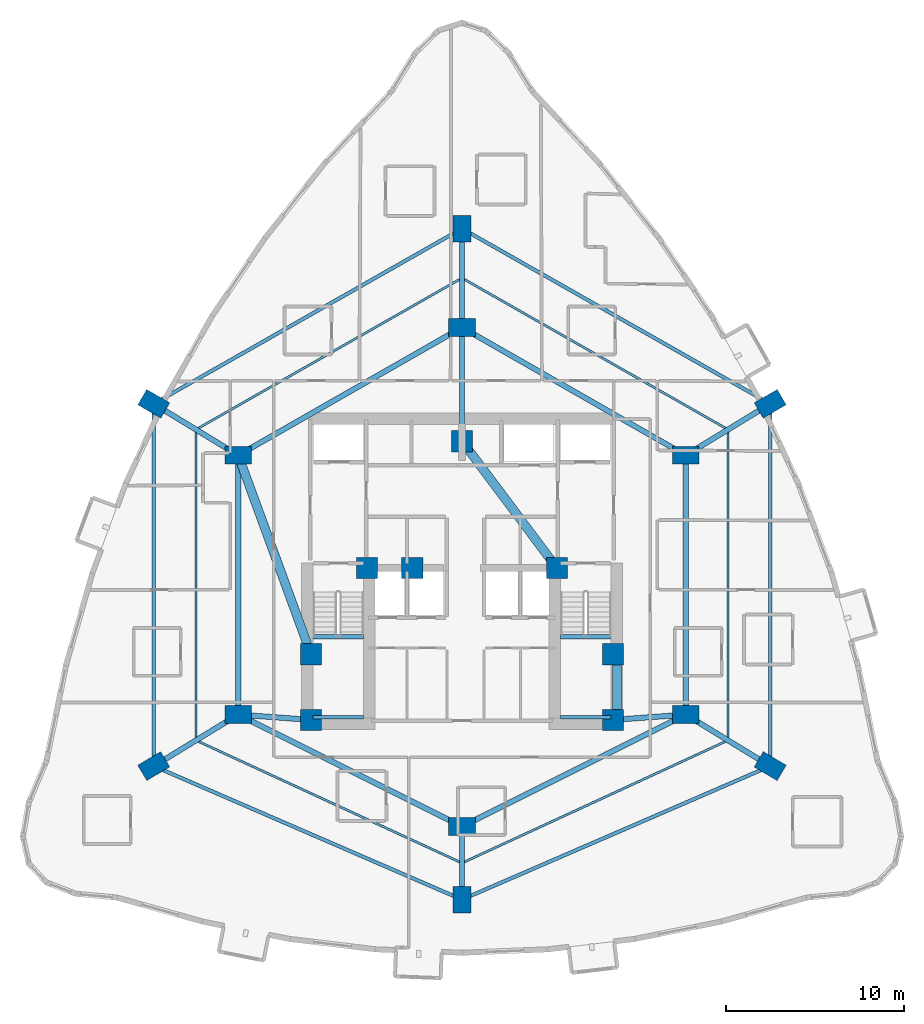
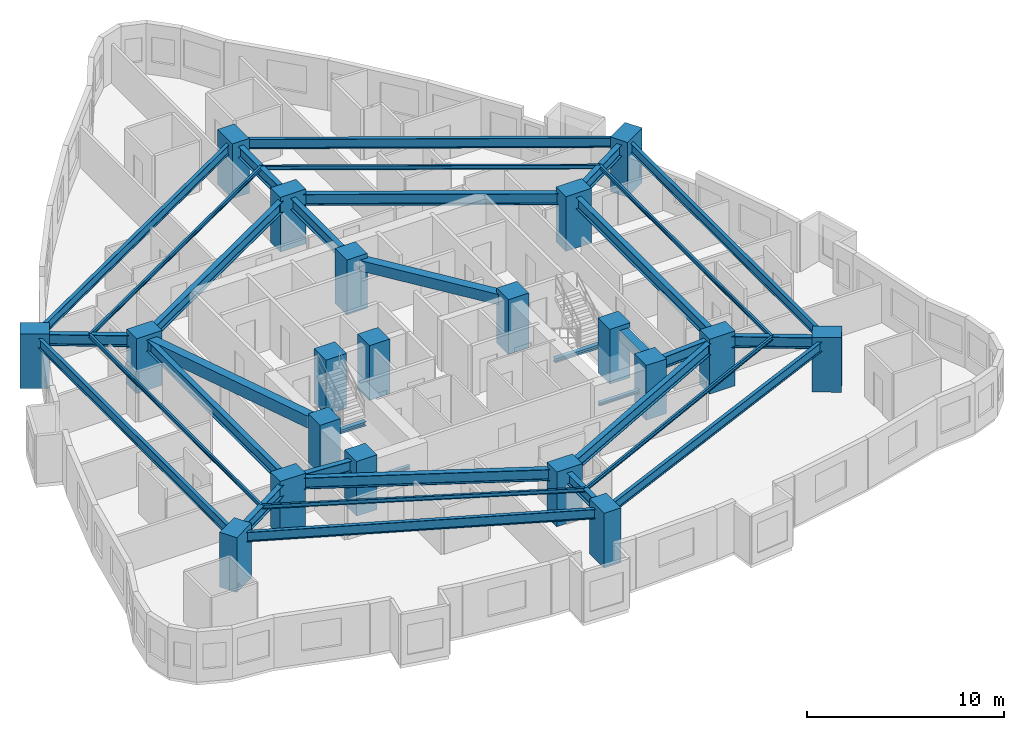
# One storey, part 1 of 13: 34 beams, 20 columns.
"""IFC4 building model written with IfcOpenShell, lengths in metres."""

from ifc_helpers import new_model, si_unit, direction, frame, origin, origin_2d, place, context, subcontext, project, spatial, rectangle, i_section, extrude, material, material_profile, profile_set, type_object, element, save


model = new_model("IFC4")

# Units and contexts
model_context = context("Model", 3, precision=1e-05, world=origin(), true_north=direction((0.0, 1.0)))
body_context = subcontext(model_context, "Body", "Model", "MODEL_VIEW")
ifc_project = project(units=[si_unit("LENGTHUNIT", "METRE"), si_unit("AREAUNIT", "SQUARE_METRE"), si_unit("VOLUMEUNIT", "CUBIC_METRE"), si_unit("PLANEANGLEUNIT", "RADIAN"), si_unit("MASSUNIT", "GRAM", prefix="KILO")], contexts=[model_context])

# Site, building, storey
site_placement = place(None, origin())
site = spatial("IfcSite", under=ifc_project, at=site_placement, CompositionType="ELEMENT")
building_placement = place(site_placement, origin())
building = spatial("IfcBuilding", under=site, at=building_placement, Name="Miruveldt Soraemaru", CompositionType="ELEMENT")
storey_placement = place(building_placement, frame((0.0, 0.0, 49.60009765625)))
storey = spatial("IfcBuildingStorey", under=building, at=storey_placement, Name="L13", CompositionType="ELEMENT", Elevation=49.60009765625)

# Columns
ifc_material_1 = material(Name="Concrete C70/85 (70 MPa)", Category="concrete")
ifc_material_profile_1 = material_profile(ifc_material_1, rectangle(XDim=1.199951171875, YDim=1.199951171875, at=origin_2d()), Name="Concrete C70/85 (70 MPa)", Category="concrete")
ifc_profile_set_1 = profile_set([ifc_material_profile_1], Name="Concrete C70/85 (70 MPa)")
column_type_1 = type_object("IfcColumnType", Name="COL-CORE-1200", PredefinedType="COLUMN", material=ifc_profile_set_1)
for number, where, z_axis, x_axis, name in (
    (1, (35.5, 35.5, 0.0), (0.0, 0.0, 1.0), (1.0, 0.0, 0.0), "L13 Structural Column CC1"),
    (2, (38.64990234375, 44.050048828125, 0.0), (0.0, 0.0, 1.0), (1.0, 0.0, 0.0), "L13 Structural Column CC2"),
    (3, (52.5, 35.5, 0.0), (0.0, 0.0, 1.0), (1.0, 0.0, 0.0), "L13 Structural Column CC3"),
    (4, (52.5, 39.199951171875, 0.0), (0.0, 0.0, 1.0), (1.0, 0.0, 0.0), "L13 Structural Column CC4"),
    (5, (49.35009765625, 44.050048828125, 0.0), (0.0, 0.0, 1.0), (1.0, 0.0, 0.0), "L13 Structural Column CC5"),
    (6, (44.0, 51.199951171875, 0.0), (0.0, 0.0, 1.0), (1.0, 0.0, 0.0), "L13 Structural Column CC6"),
    (7, (35.5, 39.199951171875, 0.0), (0.0, 0.0, 1.0), (1.0, 0.0, 0.0), "L13 Structural Column CC7"),
    (8, (41.199951171875, 44.050048828125, 0.0), (0.0, 0.0, 1.0), (1.0, 0.0, 0.0), "L13 Structural Column CC8"),
):
    element("IfcColumn", number, at=place(storey_placement, frame(where, z_axis=z_axis, x_axis=x_axis)), inside=storey, type_object=column_type_1, Name=name, PredefinedType="COLUMN", context=body_context, shape_type="SweptSolid", body=[
        extrude(rectangle(XDim=1.199951171875, YDim=1.199951171875, at=origin_2d()), origin(), (0.0, 0.0, 1.0), 3.39990234375),
    ])
ifc_material_2 = material(Name="Concrete C80/95 (80 MPa)", Category="concrete")
ifc_material_profile_2 = material_profile(ifc_material_2, rectangle(XDim=1.5, YDim=1.0, at=origin_2d()), Name="Concrete C80/95 (80 MPa)", Category="concrete")
ifc_profile_set_2 = profile_set([ifc_material_profile_2], Name="Concrete C80/95 (80 MPa)")
column_type_2 = type_object("IfcColumnType", Name="COL-TW-Z1A", PredefinedType="COLUMN", material=ifc_profile_set_2)
for number, where, z_axis, x_axis, name in (
    (9, (44.0, 57.60009765625, 0.0), (0.0, 0.0, 1.0), (1.0, 0.0, 0.0), "L13 Structural Column IR01"),
    (10, (56.60009765625, 50.39990234375, 0.0), (0.0, 0.0, 1.0), (1.0, 0.0, 0.0), "L13 Structural Column IR02"),
    (11, (56.60009765625, 35.800048828125, 0.0), (0.0, 0.0, 1.0), (1.0, 0.0, 0.0), "L13 Structural Column IR03"),
    (12, (44.0, 29.5, 0.0), (0.0, 0.0, 1.0), (1.0, 0.0, 0.0), "L13 Structural Column IR04"),
    (13, (31.39990234375, 35.800048828125, 0.0), (0.0, 0.0, 1.0), (1.0, 0.0, 0.0), "L13 Structural Column IR05"),
    (14, (31.39990234375, 50.39990234375, 0.0), (0.0, 0.0, 1.0), (1.0, 0.0, 0.0), "L13 Structural Column IR06"),
    (15, (44.0, 63.16796875, 0.0), (0.0, 0.0, 1.0), (0.0, 1.0, 0.0), "L13 Structural Column Z1P01"),
    (16, (61.35595703125, 53.300048828125, 0.0), (0.0, 0.0, 1.0), (0.864274801954, 0.50301994663, 0.0), "L13 Structural Column Z1P02"),
    (17, (61.35595703125, 32.89990234375, 0.0), (0.0, 0.0, 1.0), (-0.859852271597, 0.510542917912, 0.0), "L13 Structural Column Z1P03"),
    (18, (44.0, 25.382080078125, 0.0), (0.0, 0.0, 1.0), (0.0, 1.0, 0.0), "L13 Structural Column Z1P04"),
    (19, (26.64404296875, 32.89990234375, 0.0), (0.0, 0.0, 1.0), (0.859852271597, 0.510542917912, 0.0), "L13 Structural Column Z1P05"),
    (20, (26.64404296875, 53.300048828125, 0.0), (0.0, 0.0, 1.0), (-0.864274801954, 0.50301994663, 0.0), "L13 Structural Column Z1P06"),
):
    element("IfcColumn", number, at=place(storey_placement, frame(where, z_axis=z_axis, x_axis=x_axis)), inside=storey, type_object=column_type_2, Name=name, PredefinedType="COLUMN", context=body_context, shape_type="SweptSolid", body=[
        extrude(rectangle(XDim=1.5, YDim=1.0, at=origin_2d()), origin(), (0.0, 0.0, 1.0), 3.39990234375),
    ])

# Beams
ifc_material_3 = material(Name="Concrete C50/60 (50 MPa)", Category="concrete")
ifc_material_profile_3 = material_profile(ifc_material_3, rectangle(XDim=0.5, YDim=0.64990234375, at=origin_2d()), Name="Concrete C50/60 (50 MPa)", Category="concrete")
ifc_profile_set_3 = profile_set([ifc_material_profile_3], Name="Concrete C50/60 (50 MPa)")
beam_type_1 = type_object("IfcBeamType", Name="BM-RC-500x650", PredefinedType="BEAM", material=ifc_profile_set_3)
beam_1_placement = place(storey_placement, frame((52.72998046875, 35.5, 2.7998046875), z_axis=(0.0, 1.0, 0.0), x_axis=(-1.0, 0.0, 0.0)))
element("IfcBeam", 21, at=beam_1_placement, inside=storey, type_object=beam_type_1, Name="L13 Core Tie Beam 3", PredefinedType="BEAM", context=body_context, shape_type="SweptSolid", body=[
    extrude(rectangle(XDim=0.5, YDim=0.64990234375, at=origin_2d()), origin(), (0.0, 0.0, 1.0), 3.699951171875),
])
beam_2_placement = place(storey_placement, frame((49.35009765625, 44.050048828125, 2.7998046875), z_axis=(-0.599116023999, 0.800662219533, 0.0), x_axis=(-0.800662219533, -0.599116023999, 0.0)))
element("IfcBeam", 22, at=beam_2_placement, inside=storey, type_object=beam_type_1, Name="L13 Core Tie Beam 5", PredefinedType="BEAM", context=body_context, shape_type="SweptSolid", body=[
    extrude(rectangle(XDim=0.5, YDim=0.64990234375, at=origin_2d()), origin(), (0.0, 0.0, 1.0), 8.929931640625),
])
ifc_material_4 = material(Name="Concrete C40/50 (40 MPa)", Category="concrete")
ifc_material_profile_4 = material_profile(ifc_material_4, rectangle(XDim=0.5, YDim=0.75, at=origin_2d()), Name="Concrete C40/50 (40 MPa)", Category="concrete")
ifc_profile_set_4 = profile_set([ifc_material_profile_4], Name="Concrete C40/50 (40 MPa)")
beam_type_2 = type_object("IfcBeamType", Name="BM-RC-500x750", PredefinedType="LINTEL", material=ifc_profile_set_4)
beam_3_placement = place(storey_placement, frame((31.39990234375, 50.39990234375, 2.75), z_axis=(0.343770424598, -0.939053723262, 0.0), x_axis=(0.939053723262, 0.343770424598, 0.0)))
element("IfcBeam", 23, at=beam_3_placement, inside=storey, type_object=beam_type_2, Name="L13 West Lobby Lintel", PredefinedType="LINTEL", context=body_context, shape_type="SweptSolid", body=[
    extrude(rectangle(XDim=0.5, YDim=0.75, at=origin_2d()), origin(), (0.0, 0.0, 1.0), 11.9267578125),
])
ifc_material_5 = material(Name="Steel SM355 (355 MPa)", Category="steel")
ifc_material_profile_5 = material_profile(ifc_material_5, i_section(OverallWidth=0.125, OverallDepth=0.25, WebThickness=0.006103515625, FlangeThickness=0.009033203125, FilletRadius=0.011962890625, at=origin_2d()), Name="Steel SM355 (355 MPa)", Category="steel")
ifc_profile_set_5 = profile_set([ifc_material_profile_5], Name="Steel SM355 (355 MPa)")
beam_type_3 = type_object("IfcBeamType", Name="BM-ST-H250", PredefinedType="JOIST", material=ifc_profile_set_5)
beam_4_placement = place(storey_placement, frame((44.0, 60.384033203125, 3.0), z_axis=(0.868865604585, -0.495048039254, 0.0), x_axis=(0.495048039254, 0.868865604585, 0.0)))
element("IfcBeam", 24, at=beam_4_placement, inside=storey, type_object=beam_type_3, Name="L13 Outer Bay Floor Joist 1", PredefinedType="JOIST", context=body_context, shape_type="SweptSolid", body=[
    extrude(i_section(OverallWidth=0.125, OverallDepth=0.25, WebThickness=0.006103515625, FlangeThickness=0.009033203125, FilletRadius=0.011962890625, at=origin_2d()), origin(), (0.0, 0.0, 1.0), 17.238525390625),
])
beam_5_placement = place(storey_placement, frame((58.97802734375, 51.85009765625, 3.0), z_axis=(0.0, -1.0, 0.0), x_axis=(1.0, 0.0, 0.0)))
element("IfcBeam", 25, at=beam_5_placement, inside=storey, type_object=beam_type_3, Name="L13 Outer Bay Floor Joist 2", PredefinedType="JOIST", context=body_context, shape_type="SweptSolid", body=[
    extrude(i_section(OverallWidth=0.125, OverallDepth=0.25, WebThickness=0.006103515625, FlangeThickness=0.009033203125, FilletRadius=0.011962890625, at=origin_2d()), origin(), (0.0, 0.0, 1.0), 17.5),
])
for number, where, z_axis, x_axis, name in (
    (26, (58.97802734375, 34.35009765625, 3.0), (-0.908046005539, -0.418870447543, 0.0), (0.418870447543, -0.908046005539, 0.0), "L13 Outer Bay Floor Joist 3"),
    (27, (44.0, 27.44091796875, 3.0), (-0.908046005539, 0.418870447543, 0.0), (-0.418870447543, -0.908046005539, 0.0), "L13 Outer Bay Floor Joist 4"),
):
    element("IfcBeam", number, at=place(storey_placement, frame(where, z_axis=z_axis, x_axis=x_axis)), inside=storey, type_object=beam_type_3, Name=name, PredefinedType="JOIST", context=body_context, shape_type="SweptSolid", body=[
        extrude(i_section(OverallWidth=0.125, OverallDepth=0.25, WebThickness=0.006103515625, FlangeThickness=0.009033203125, FilletRadius=0.011962890625, at=origin_2d()), origin(), (0.0, 0.0, 1.0), 16.494873046875),
    ])
beam_6_placement = place(storey_placement, frame((29.02197265625, 34.35009765625, 3.0), z_axis=(0.0, 1.0, 0.0), x_axis=(-1.0, 0.0, 0.0)))
element("IfcBeam", 28, at=beam_6_placement, inside=storey, type_object=beam_type_3, Name="L13 Outer Bay Floor Joist 5", PredefinedType="JOIST", context=body_context, shape_type="SweptSolid", body=[
    extrude(i_section(OverallWidth=0.125, OverallDepth=0.25, WebThickness=0.006103515625, FlangeThickness=0.009033203125, FilletRadius=0.011962890625, at=origin_2d()), origin(), (0.0, 0.0, 1.0), 17.5),
])
beam_7_placement = place(storey_placement, frame((29.02197265625, 51.85009765625, 3.0), z_axis=(0.868865604585, 0.495048039254, 0.0), x_axis=(-0.495048039254, 0.868865604585, 0.0)))
element("IfcBeam", 29, at=beam_7_placement, inside=storey, type_object=beam_type_3, Name="L13 Outer Bay Floor Joist 6", PredefinedType="JOIST", context=body_context, shape_type="SweptSolid", body=[
    extrude(i_section(OverallWidth=0.125, OverallDepth=0.25, WebThickness=0.006103515625, FlangeThickness=0.009033203125, FilletRadius=0.011962890625, at=origin_2d()), origin(), (0.0, 0.0, 1.0), 17.238525390625),
])
ifc_material_profile_6 = material_profile(ifc_material_5, i_section(OverallWidth=0.199951171875, OverallDepth=0.60009765625, WebThickness=0.010986328125, FlangeThickness=0.01708984375, FilletRadius=0.02197265625, at=origin_2d()), Name="Steel SM355 (355 MPa)", Category="steel")
ifc_profile_set_6 = profile_set([ifc_material_profile_6], Name="Steel SM355 (355 MPa)")
beam_type_4 = type_object("IfcBeamType", Name="BM-ST-H600", PredefinedType="SPANDREL", material=ifc_profile_set_6)
beam_8_placement = place(storey_placement, frame((44.0, 63.16796875, 2.824951171875), z_axis=(0.869314947608, -0.494258557706, 0.0), x_axis=(0.494258557706, 0.869314947608, 0.0)))
element("IfcBeam", 30, at=beam_8_placement, inside=storey, type_object=beam_type_4, Name="L13 Zone-1 Spandrel Beam 1", PredefinedType="SPANDREL", context=body_context, shape_type="SweptSolid", body=[
    extrude(i_section(OverallWidth=0.199951171875, OverallDepth=0.60009765625, WebThickness=0.010986328125, FlangeThickness=0.01708984375, FilletRadius=0.02197265625, at=origin_2d()), origin(), (0.0, 0.0, 1.0), 19.965087890625),
])
beam_9_placement = place(storey_placement, frame((61.35595703125, 53.300048828125, 2.824951171875), z_axis=(0.0, -1.0, 0.0), x_axis=(1.0, 0.0, 0.0)))
element("IfcBeam", 31, at=beam_9_placement, inside=storey, type_object=beam_type_4, Name="L13 Zone-1 Spandrel Beam 2", PredefinedType="SPANDREL", context=body_context, shape_type="SweptSolid", body=[
    extrude(i_section(OverallWidth=0.199951171875, OverallDepth=0.60009765625, WebThickness=0.010986328125, FlangeThickness=0.01708984375, FilletRadius=0.02197265625, at=origin_2d()), origin(), (0.0, 0.0, 1.0), 20.400146484375),
])
for number, where, z_axis, x_axis, name in (
    (32, (61.35595703125, 32.89990234375, 2.824951171875), (-0.917615263736, -0.397469782195, 0.0), (0.397469782195, -0.917615263736, 0.0), "L13 Zone-1 Spandrel Beam 3"),
    (33, (44.0, 25.382080078125, 2.824951171875), (-0.917615263736, 0.397469782195, 0.0), (-0.397469782195, -0.917615263736, 0.0), "L13 Zone-1 Spandrel Beam 4"),
):
    element("IfcBeam", number, at=place(storey_placement, frame(where, z_axis=z_axis, x_axis=x_axis)), inside=storey, type_object=beam_type_4, Name=name, PredefinedType="SPANDREL", context=body_context, shape_type="SweptSolid", body=[
        extrude(i_section(OverallWidth=0.199951171875, OverallDepth=0.60009765625, WebThickness=0.010986328125, FlangeThickness=0.01708984375, FilletRadius=0.02197265625, at=origin_2d()), origin(), (0.0, 0.0, 1.0), 18.914306640625),
    ])
beam_10_placement = place(storey_placement, frame((26.64404296875, 32.89990234375, 2.824951171875), z_axis=(0.0, 1.0, 0.0), x_axis=(-1.0, 0.0, 0.0)))
element("IfcBeam", 34, at=beam_10_placement, inside=storey, type_object=beam_type_4, Name="L13 Zone-1 Spandrel Beam 5", PredefinedType="SPANDREL", context=body_context, shape_type="SweptSolid", body=[
    extrude(i_section(OverallWidth=0.199951171875, OverallDepth=0.60009765625, WebThickness=0.010986328125, FlangeThickness=0.01708984375, FilletRadius=0.02197265625, at=origin_2d()), origin(), (0.0, 0.0, 1.0), 20.400146484375),
])
beam_11_placement = place(storey_placement, frame((26.64404296875, 53.300048828125, 2.824951171875), z_axis=(0.869314947608, 0.494258557706, 0.0), x_axis=(-0.494258557706, 0.869314947608, 0.0)))
element("IfcBeam", 35, at=beam_11_placement, inside=storey, type_object=beam_type_4, Name="L13 Zone-1 Spandrel Beam 6", PredefinedType="SPANDREL", context=body_context, shape_type="SweptSolid", body=[
    extrude(i_section(OverallWidth=0.199951171875, OverallDepth=0.60009765625, WebThickness=0.010986328125, FlangeThickness=0.01708984375, FilletRadius=0.02197265625, at=origin_2d()), origin(), (0.0, 0.0, 1.0), 19.965087890625),
])
ifc_material_profile_7 = material_profile(ifc_material_5, i_section(OverallWidth=0.300048828125, OverallDepth=0.699951171875, WebThickness=0.012939453125, FlangeThickness=0.02392578125, FilletRadius=0.028076171875, at=origin_2d()), Name="Steel SM355 (355 MPa)", Category="steel")
ifc_profile_set_7 = profile_set([ifc_material_profile_7], Name="Steel SM355 (355 MPa)")
beam_type_5 = type_object("IfcBeamType", Name="BM-ST-H700", PredefinedType="BEAM", material=ifc_profile_set_7)
beam_12_placement = place(storey_placement, frame((44.0, 57.60009765625, 2.77490234375), z_axis=(0.868239001029, -0.496146185203, 0.0), x_axis=(0.496146185203, 0.868239001029, 0.0)))
element("IfcBeam", 36, at=beam_12_placement, inside=storey, type_object=beam_type_5, Name="L13 Inner Ring Girder 1", PredefinedType="BEAM", context=body_context, shape_type="SweptSolid", body=[
    extrude(i_section(OverallWidth=0.300048828125, OverallDepth=0.699951171875, WebThickness=0.012939453125, FlangeThickness=0.02392578125, FilletRadius=0.028076171875, at=origin_2d()), origin(), (0.0, 0.0, 1.0), 14.51220703125),
])
beam_13_placement = place(storey_placement, frame((44.0, 51.199951171875, 2.77490234375), z_axis=(0.0, 1.0, 0.0), x_axis=(-1.0, 0.0, 0.0)))
element("IfcBeam", 37, at=beam_13_placement, inside=storey, type_object=beam_type_5, Name="L13 Core-to-Inner Radial Girder 1", PredefinedType="BEAM", context=body_context, shape_type="SweptSolid", body=[
    extrude(i_section(OverallWidth=0.300048828125, OverallDepth=0.699951171875, WebThickness=0.012939453125, FlangeThickness=0.02392578125, FilletRadius=0.028076171875, at=origin_2d()), origin(), (0.0, 0.0, 1.0), 6.400146484375),
])
beam_14_placement = place(storey_placement, frame((56.60009765625, 50.39990234375, 2.77490234375), z_axis=(0.0, -1.0, 0.0), x_axis=(1.0, 0.0, 0.0)))
element("IfcBeam", 38, at=beam_14_placement, inside=storey, type_object=beam_type_5, Name="L13 Inner Ring Girder 2", PredefinedType="BEAM", context=body_context, shape_type="SweptSolid", body=[
    extrude(i_section(OverallWidth=0.300048828125, OverallDepth=0.699951171875, WebThickness=0.012939453125, FlangeThickness=0.02392578125, FilletRadius=0.028076171875, at=origin_2d()), origin(), (0.0, 0.0, 1.0), 14.599853515625),
])
beam_15_placement = place(storey_placement, frame((56.60009765625, 35.800048828125, 2.77490234375), z_axis=(-0.894427191, -0.4472135955, 0.0), x_axis=(0.4472135955, -0.894427191, 0.0)))
element("IfcBeam", 39, at=beam_15_placement, inside=storey, type_object=beam_type_5, Name="L13 Inner Ring Girder 3", PredefinedType="BEAM", context=body_context, shape_type="SweptSolid", body=[
    extrude(i_section(OverallWidth=0.300048828125, OverallDepth=0.699951171875, WebThickness=0.012939453125, FlangeThickness=0.02392578125, FilletRadius=0.028076171875, at=origin_2d()), origin(), (0.0, 0.0, 1.0), 14.08740234375),
])
beam_16_placement = place(storey_placement, frame((52.5, 35.5, 2.77490234375), z_axis=(0.997332985605, 0.072985723431, 0.0), x_axis=(-0.072985723431, 0.997332985605, 0.0)))
element("IfcBeam", 40, at=beam_16_placement, inside=storey, type_object=beam_type_5, Name="L13 Core-to-Inner Radial Girder 3", PredefinedType="BEAM", context=body_context, shape_type="SweptSolid", body=[
    extrude(i_section(OverallWidth=0.300048828125, OverallDepth=0.699951171875, WebThickness=0.012939453125, FlangeThickness=0.02392578125, FilletRadius=0.028076171875, at=origin_2d()), origin(), (0.0, 0.0, 1.0), 4.111083984375),
])
beam_17_placement = place(storey_placement, frame((44.0, 29.5, 2.77490234375), z_axis=(-0.894427191, 0.4472135955, 0.0), x_axis=(-0.4472135955, -0.894427191, 0.0)))
element("IfcBeam", 41, at=beam_17_placement, inside=storey, type_object=beam_type_5, Name="L13 Inner Ring Girder 4", PredefinedType="BEAM", context=body_context, shape_type="SweptSolid", body=[
    extrude(i_section(OverallWidth=0.300048828125, OverallDepth=0.699951171875, WebThickness=0.012939453125, FlangeThickness=0.02392578125, FilletRadius=0.028076171875, at=origin_2d()), origin(), (0.0, 0.0, 1.0), 14.08740234375),
])
beam_18_placement = place(storey_placement, frame((31.39990234375, 35.800048828125, 2.77490234375), z_axis=(0.0, 1.0, 0.0), x_axis=(-1.0, 0.0, 0.0)))
element("IfcBeam", 42, at=beam_18_placement, inside=storey, type_object=beam_type_5, Name="L13 Inner Ring Girder 5", PredefinedType="BEAM", context=body_context, shape_type="SweptSolid", body=[
    extrude(i_section(OverallWidth=0.300048828125, OverallDepth=0.699951171875, WebThickness=0.012939453125, FlangeThickness=0.02392578125, FilletRadius=0.028076171875, at=origin_2d()), origin(), (0.0, 0.0, 1.0), 14.599853515625),
])
beam_19_placement = place(storey_placement, frame((35.5, 35.5, 2.77490234375), z_axis=(-0.997332985605, 0.072985723431, 0.0), x_axis=(-0.072985723431, -0.997332985605, 0.0)))
element("IfcBeam", 43, at=beam_19_placement, inside=storey, type_object=beam_type_5, Name="L13 Core-to-Inner Radial Girder 5", PredefinedType="BEAM", context=body_context, shape_type="SweptSolid", body=[
    extrude(i_section(OverallWidth=0.300048828125, OverallDepth=0.699951171875, WebThickness=0.012939453125, FlangeThickness=0.02392578125, FilletRadius=0.028076171875, at=origin_2d()), origin(), (0.0, 0.0, 1.0), 4.111083984375),
])
beam_20_placement = place(storey_placement, frame((31.39990234375, 50.39990234375, 2.77490234375), z_axis=(0.868239001029, 0.496146185203, 0.0), x_axis=(-0.496146185203, 0.868239001029, 0.0)))
element("IfcBeam", 44, at=beam_20_placement, inside=storey, type_object=beam_type_5, Name="L13 Inner Ring Girder 6", PredefinedType="BEAM", context=body_context, shape_type="SweptSolid", body=[
    extrude(i_section(OverallWidth=0.300048828125, OverallDepth=0.699951171875, WebThickness=0.012939453125, FlangeThickness=0.02392578125, FilletRadius=0.028076171875, at=origin_2d()), origin(), (0.0, 0.0, 1.0), 14.51220703125),
])
beam_21_placement = place(storey_placement, frame((44.0, 57.60009765625, 2.77490234375), z_axis=(0.0, 1.0, 0.0), x_axis=(-1.0, 0.0, 0.0)))
element("IfcBeam", 45, at=beam_21_placement, inside=storey, type_object=beam_type_5, Name="L13 Zone-1 Radial Girder 1", PredefinedType="BEAM", context=body_context, shape_type="SweptSolid", body=[
    extrude(i_section(OverallWidth=0.300048828125, OverallDepth=0.699951171875, WebThickness=0.012939453125, FlangeThickness=0.02392578125, FilletRadius=0.028076171875, at=origin_2d()), origin(), (0.0, 0.0, 1.0), 5.56787109375),
])
for number, where, z_axis, x_axis, name in (
    (46, (56.60009765625, 50.39990234375, 2.77490234375), (0.853777644156, 0.520637814935, 0.0), (-0.520637814935, 0.853777644156, 0.0), "L13 Zone-1 Radial Girder 2"),
    (47, (56.60009765625, 35.800048828125, 2.77490234375), (0.853777644156, -0.520637814935, 0.0), (0.520637814935, 0.853777644156, 0.0), "L13 Zone-1 Radial Girder 3"),
):
    element("IfcBeam", number, at=place(storey_placement, frame(where, z_axis=z_axis, x_axis=x_axis)), inside=storey, type_object=beam_type_5, Name=name, PredefinedType="BEAM", context=body_context, shape_type="SweptSolid", body=[
        extrude(i_section(OverallWidth=0.300048828125, OverallDepth=0.699951171875, WebThickness=0.012939453125, FlangeThickness=0.02392578125, FilletRadius=0.028076171875, at=origin_2d()), origin(), (0.0, 0.0, 1.0), 5.5703125),
    ])
beam_22_placement = place(storey_placement, frame((44.0, 29.5, 2.77490234375), z_axis=(0.0, -1.0, 0.0), x_axis=(1.0, 0.0, 0.0)))
element("IfcBeam", 48, at=beam_22_placement, inside=storey, type_object=beam_type_5, Name="L13 Zone-1 Radial Girder 4", PredefinedType="BEAM", context=body_context, shape_type="SweptSolid", body=[
    extrude(i_section(OverallWidth=0.300048828125, OverallDepth=0.699951171875, WebThickness=0.012939453125, FlangeThickness=0.02392578125, FilletRadius=0.028076171875, at=origin_2d()), origin(), (0.0, 0.0, 1.0), 4.117919921875),
])
for number, where, z_axis, x_axis, name in (
    (49, (31.39990234375, 35.800048828125, 2.77490234375), (-0.853777644156, -0.520637814935, 0.0), (0.520637814935, -0.853777644156, 0.0), "L13 Zone-1 Radial Girder 5"),
    (50, (31.39990234375, 50.39990234375, 2.77490234375), (-0.853777644156, 0.520637814935, 0.0), (-0.520637814935, -0.853777644156, 0.0), "L13 Zone-1 Radial Girder 6"),
):
    element("IfcBeam", number, at=place(storey_placement, frame(where, z_axis=z_axis, x_axis=x_axis)), inside=storey, type_object=beam_type_5, Name=name, PredefinedType="BEAM", context=body_context, shape_type="SweptSolid", body=[
        extrude(i_section(OverallWidth=0.300048828125, OverallDepth=0.699951171875, WebThickness=0.012939453125, FlangeThickness=0.02392578125, FilletRadius=0.028076171875, at=origin_2d()), origin(), (0.0, 0.0, 1.0), 5.5703125),
    ])
ifc_material_profile_8 = material_profile(ifc_material_5, i_section(OverallWidth=0.199951171875, OverallDepth=0.199951171875, WebThickness=0.008056640625, FlangeThickness=0.011962890625, FilletRadius=0.012939453125, at=origin_2d()), Name="Steel SM355 (355 MPa)", Category="steel")
ifc_profile_set_8 = profile_set([ifc_material_profile_8], Name="Steel SM355 (355 MPa)")
beam_type_6 = type_object("IfcBeamType", Name="BM-ST-LND200", PredefinedType="BEAM", material=ifc_profile_set_8)
for number, where, z_axis, x_axis, name in (
    (51, (35.60009765625, 35.64990234375, 1.39990234375), (1.0, 0.0, 0.0), (0.0, 1.0, 0.0), "L13 ST1 Landing End Beam 1B"),
    (52, (49.550048828125, 35.64990234375, 1.39990234375), (1.0, 0.0, 0.0), (0.0, 1.0, 0.0), "L13 ST2 Landing End Beam 1B"),
):
    element("IfcBeam", number, at=place(storey_placement, frame(where, z_axis=z_axis, x_axis=x_axis)), inside=storey, type_object=beam_type_6, Name=name, PredefinedType="BEAM", context=body_context, shape_type="SweptSolid", body=[
        extrude(i_section(OverallWidth=0.199951171875, OverallDepth=0.199951171875, WebThickness=0.008056640625, FlangeThickness=0.011962890625, FilletRadius=0.012939453125, at=origin_2d()), origin(), (0.0, 0.0, 1.0), 2.849853515625),
    ])
ifc_material_profile_9 = material_profile(ifc_material_5, i_section(OverallWidth=0.25, OverallDepth=0.25, WebThickness=0.009033203125, FlangeThickness=0.013916015625, FilletRadius=0.01611328125, at=origin_2d()), Name="Steel SM355 (355 MPa)", Category="steel")
ifc_profile_set_9 = profile_set([ifc_material_profile_9], Name="Steel SM355 (355 MPa)")
beam_type_7 = type_object("IfcBeamType", Name="BM-ST-LND250", PredefinedType="BEAM", material=ifc_profile_set_9)
for number, where, z_axis, x_axis, name in (
    (53, (35.60009765625, 40.179931640625, 1.375), (1.0, 0.0, 0.0), (0.0, 1.0, 0.0), "L13 ST1 Landing Support Beam 1A"),
    (54, (49.550048828125, 40.179931640625, 1.375), (1.0, 0.0, 0.0), (0.0, 1.0, 0.0), "L13 ST2 Landing Support Beam 1A"),
):
    element("IfcBeam", number, at=place(storey_placement, frame(where, z_axis=z_axis, x_axis=x_axis)), inside=storey, type_object=beam_type_7, Name=name, PredefinedType="BEAM", context=body_context, shape_type="SweptSolid", body=[
        extrude(i_section(OverallWidth=0.25, OverallDepth=0.25, WebThickness=0.009033203125, FlangeThickness=0.013916015625, FilletRadius=0.01611328125, at=origin_2d()), origin(), (0.0, 0.0, 1.0), 2.849853515625),
    ])

save(model, "model.ifc")
